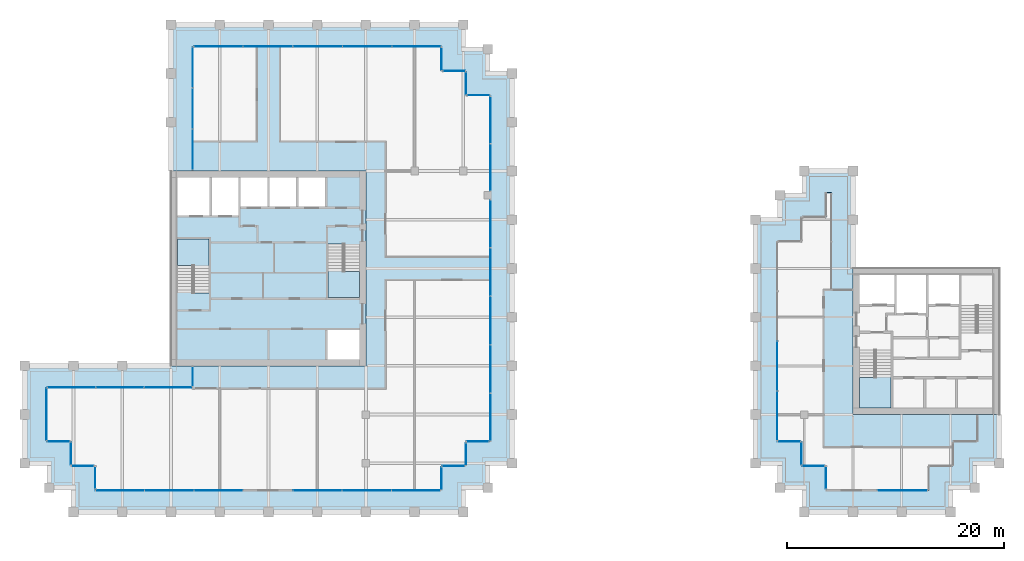
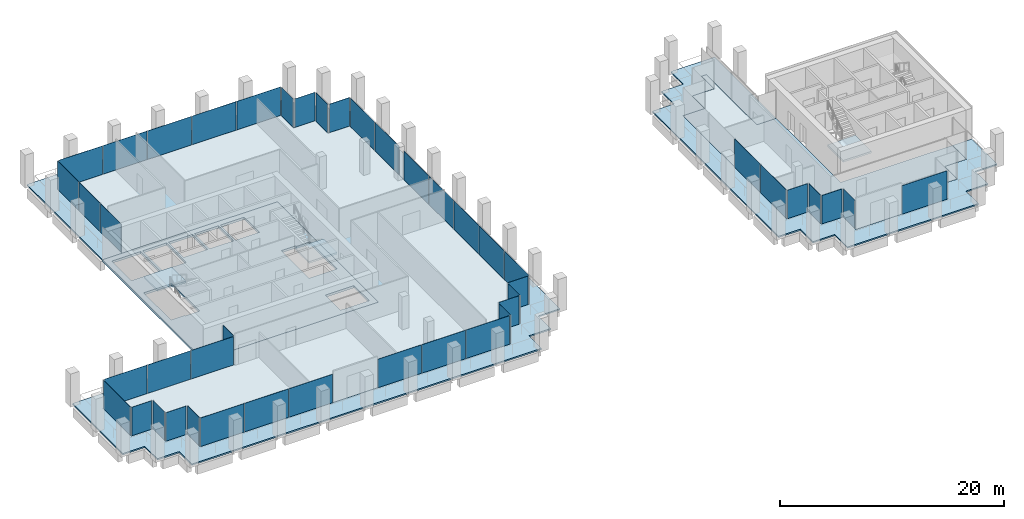
# One storey, part 34 of 40: 45 plates, 8 slabs, 30 elements without a shape of their own.
"""IFC4 building model written with IfcOpenShell, lengths in metres."""

from ifc_helpers import new_model, si_unit, direction, frame, origin, origin_2d, place, context, subcontext, project, spatial, polyline, rectangle, outline, extrude, material, layer, layer_set, type_object, element, aggregate, save


model = new_model("IFC4")

# Units and contexts
model_context = context("Model", 3, precision=1e-05, world=origin(), true_north=direction((0.0, 1.0)))
body_context = subcontext(model_context, "Body", "Model", "MODEL_VIEW")
ifc_project = project(units=[si_unit("LENGTHUNIT", "METRE"), si_unit("AREAUNIT", "SQUARE_METRE"), si_unit("VOLUMEUNIT", "CUBIC_METRE"), si_unit("PLANEANGLEUNIT", "RADIAN"), si_unit("MASSUNIT", "GRAM", prefix="KILO")], contexts=[model_context])

# Site, building, storey
site_placement = place(None, origin())
site = spatial("IfcSite", under=ifc_project, at=site_placement, CompositionType="ELEMENT")
building_placement = place(site_placement, origin())
building = spatial("IfcBuilding", under=site, at=building_placement, Name="Altepetl Exchange Towers", CompositionType="ELEMENT")
storey_placement = place(building_placement, frame((0.0, 0.0, 158.199951171875)))
storey = spatial("IfcBuildingStorey", under=building, at=storey_placement, Name="L39", CompositionType="ELEMENT", Elevation=158.199951171875)

# Slabs
ifc_material_1 = material(Name="Concrete C40/50", Category="concrete")
ifc_layer_1 = layer(ifc_material_1, 0.14990234375)
ifc_layer_set_1 = layer_set([ifc_layer_1], Name="Concrete C40/50")
slab_type_1 = type_object("IfcSlabType", Name="Composite floor slab 150", PredefinedType="FLOOR", material=ifc_layer_set_1)
slab_1_placement = place(storey_placement, frame((0.0, 0.0, -0.14990234375)))
element("IfcSlab", 1, at=slab_1_placement, inside=storey, type_object=slab_type_1, Name="slab:A:L39:strip0", PredefinedType="FLOOR", context=body_context, shape_type="SweptSolid", body=[
    extrude(outline(polyline([(42.5, 70.0), (42.5, 58.5), (58.5, 58.5), (58.5, 40.5), (42.5, 40.5), (42.5, 38.5), (29.0, 38.5), (29.0, 33.5), (31.25, 33.5), (31.25, 31.25), (33.5, 31.25), (33.5, 29.0), (65.5, 29.0), (65.5, 31.25), (67.75, 31.25), (67.75, 33.5), (70.0, 33.5), (70.0, 65.5), (67.75, 65.5), (67.75, 67.75), (65.5, 67.75), (65.5, 70.0), (42.5, 70.0)])), origin(), (0.0, 0.0, 1.0), 0.14990234375),
])
slab_2_placement = place(storey_placement, frame((0.0, 0.0, -0.14990234375)))
element("IfcSlab", 2, at=slab_2_placement, inside=storey, type_object=slab_type_1, Name="slab:B:L39:strip0", PredefinedType="FLOOR", context=body_context, shape_type="SweptSolid", body=[
    extrude(outline(polyline([(98.75, 31.25), (101.0, 31.25), (101.0, 29.0), (110.5, 29.0), (110.5, 31.25), (112.75, 31.25), (112.75, 33.5), (115.0, 33.5), (115.0, 36.0), (103.5, 36.0), (103.5, 47.5), (101.5, 47.5), (101.5, 56.5), (101.0, 56.5), (101.0, 54.25), (98.75, 54.25), (98.75, 52.0), (96.5, 52.0), (96.5, 33.5), (98.75, 33.5), (98.75, 31.25)])), origin(), (0.0, 0.0, 1.0), 0.14990234375),
])
ifc_layer_2 = layer(ifc_material_1, 0.25)
ifc_layer_set_2 = layer_set([ifc_layer_2], Name="Concrete C40/50")
slab_type_2 = type_object("IfcSlabType", Name="Core floor slab 250", PredefinedType="FLOOR", material=ifc_layer_set_2)
slab_3_placement = place(storey_placement, frame((0.0, 0.0, -0.25)))
element("IfcSlab", 3, at=slab_3_placement, inside=storey, type_object=slab_type_2, Name="slab:A:L39:core0", PredefinedType="FLOOR", context=body_context, shape_type="SweptSolid", body=[
    extrude(outline(polyline([(40.5, 40.5), (58.5, 40.5), (58.5, 58.5), (40.5, 58.5), (40.5, 40.5)]), holes=[polyline([(54.93310546875, 43.800048828125), (57.89990234375, 43.800048828125), (57.89990234375, 41.10009765625), (54.93310546875, 41.10009765625), (54.93310546875, 43.800048828125)]), polyline([(55.0, 51.7490234375), (56.5, 51.7490234375), (56.5, 51.64990234375), (57.89990234375, 51.64990234375), (57.89990234375, 46.800048828125), (55.0, 46.800048828125), (55.0, 51.7490234375)]), polyline([(44.0, 47.2509765625), (42.5, 47.2509765625), (42.5, 47.35009765625), (41.10009765625, 47.35009765625), (41.10009765625, 52.199951171875), (44.0, 52.199951171875), (44.0, 47.2509765625)]), polyline([(41.10009765625, 57.89990234375), (44.06689453125, 57.89990234375), (44.06689453125, 54.39990234375), (41.10009765625, 54.39990234375), (41.10009765625, 57.89990234375)]), polyline([(44.26708984375, 57.89990234375), (46.73291015625, 57.89990234375), (46.73291015625, 54.39990234375), (44.26708984375, 54.39990234375), (44.26708984375, 57.89990234375)]), polyline([(46.93310546875, 57.89990234375), (49.39990234375, 57.89990234375), (49.39990234375, 55.199951171875), (46.93310546875, 55.199951171875), (46.93310546875, 57.89990234375)]), polyline([(49.60009765625, 57.89990234375), (52.06689453125, 57.89990234375), (52.06689453125, 55.199951171875), (49.60009765625, 55.199951171875), (49.60009765625, 57.89990234375)]), polyline([(52.26708984375, 57.89990234375), (54.73291015625, 57.89990234375), (54.73291015625, 55.199951171875), (52.26708984375, 55.199951171875), (52.26708984375, 57.89990234375)])]), origin(), (0.0, 0.0, 1.0), 0.25),
])

# Curtain wall, plate
ifc_material_2 = material(Name="Aluminium 6063-T6 glazing", Category="aluminium")
curtain_wall_type = type_object("IfcCurtainWallType", Name="Loggia glazing system", PredefinedType="NOTDEFINED", material=ifc_material_2)
curtain_wall_1_placement = place(storey_placement, origin())
curtain_wall_1 = element("IfcCurtainWall", 4, at=curtain_wall_1_placement, inside=storey, type_object=curtain_wall_type, Name="CW1 run", PredefinedType="NOTDEFINED")
ifc_material_3 = material(Name="Glass 6-16-6 low emissivity", Category="glass")
ifc_layer_3 = layer(ifc_material_3, 0.028076171875)
ifc_layer_set_3 = layer_set([ifc_layer_3], Name="Glass 6-16-6 low emissivity")
plate_type = type_object("IfcPlateType", Name="Glass panel 28 double glazed", PredefinedType="CURTAIN_PANEL", material=ifc_layer_set_3)
plate_1_placement = place(storey_placement, frame((42.5, 39.53759765625, 0.0), z_axis=(0.0, 0.0, 1.0), x_axis=(0.0, -1.0, 0.0)))
plate_1 = element("IfcPlate", 5, at=plate_1_placement, type_object=plate_type, Name="GP1 panel", PredefinedType="CURTAIN_PANEL", context=body_context, shape_type="SweptSolid", body=[
    extrude(rectangle(XDim=1.804931640625, YDim=0.028076171875, at=origin_2d()), origin(), (0.0, 0.0, 1.0), 3.10009765625),
])
aggregate(curtain_wall_1, [plate_1])

# Curtain wall, plates
curtain_wall_2_placement = place(storey_placement, origin())
curtain_wall_2 = element("IfcCurtainWall", 6, at=curtain_wall_2_placement, inside=storey, type_object=curtain_wall_type, Name="CW1 run", PredefinedType="NOTDEFINED")
plate_2_placement = place(storey_placement, frame((40.24755859375, 38.5, 0.0), z_axis=(0.0, 0.0, 1.0), x_axis=(-1.0, 0.0, 0.0)))
plate_2 = element("IfcPlate", 7, at=plate_2_placement, type_object=plate_type, Name="GP1 panel", PredefinedType="CURTAIN_PANEL", context=body_context, shape_type="SweptSolid", body=[
    extrude(rectangle(XDim=4.385009765625, YDim=0.028076171875, at=origin_2d()), origin(), (0.0, 0.0, 1.0), 3.10009765625),
])
plate_3_placement = place(storey_placement, frame((35.78759765625, 38.5, 0.0), z_axis=(0.0, 0.0, 1.0), x_axis=(-1.0, 0.0, 0.0)))
plate_3 = element("IfcPlate", 8, at=plate_3_placement, type_object=plate_type, Name="GP1 panel", PredefinedType="CURTAIN_PANEL", context=body_context, shape_type="SweptSolid", body=[
    extrude(rectangle(XDim=4.4150390625, YDim=0.028076171875, at=origin_2d()), origin(), (0.0, 0.0, 1.0), 3.10009765625),
])
plate_4_placement = place(storey_placement, frame((31.327392578125, 38.5, 0.0), z_axis=(0.0, 0.0, 1.0), x_axis=(-1.0, 0.0, 0.0)))
plate_4 = element("IfcPlate", 9, at=plate_4_placement, type_object=plate_type, Name="GP1 panel", PredefinedType="CURTAIN_PANEL", context=body_context, shape_type="SweptSolid", body=[
    extrude(rectangle(XDim=4.385009765625, YDim=0.028076171875, at=origin_2d()), origin(), (0.0, 0.0, 1.0), 3.10009765625),
])
aggregate(curtain_wall_2, [plate_2, plate_3, plate_4])

# Curtain wall, plate
curtain_wall_3_placement = place(storey_placement, origin())
curtain_wall_3 = element("IfcCurtainWall", 10, at=curtain_wall_3_placement, inside=storey, type_object=curtain_wall_type, Name="CW1 run", PredefinedType="NOTDEFINED")
plate_5_placement = place(storey_placement, frame((29.0, 36.03759765625, 0.0), z_axis=(0.0, 0.0, 1.0), x_axis=(0.0, -1.0, 0.0)))
plate_5 = element("IfcPlate", 11, at=plate_5_placement, type_object=plate_type, Name="GP1 panel", PredefinedType="CURTAIN_PANEL", context=body_context, shape_type="SweptSolid", body=[
    extrude(rectangle(XDim=4.804931640625, YDim=0.028076171875, at=origin_2d()), origin(), (0.0, 0.0, 1.0), 3.10009765625),
])
aggregate(curtain_wall_3, [plate_5])

curtain_wall_4_placement = place(storey_placement, origin())
curtain_wall_4 = element("IfcCurtainWall", 12, at=curtain_wall_4_placement, inside=storey, type_object=curtain_wall_type, Name="CW1 run", PredefinedType="NOTDEFINED")
plate_6_placement = place(storey_placement, frame((30.08740234375, 33.5, 0.0)))
plate_6 = element("IfcPlate", 13, at=plate_6_placement, type_object=plate_type, Name="GP1 panel", PredefinedType="CURTAIN_PANEL", context=body_context, shape_type="SweptSolid", body=[
    extrude(rectangle(XDim=2.054931640625, YDim=0.028076171875, at=origin_2d()), origin(), (0.0, 0.0, 1.0), 3.10009765625),
])
aggregate(curtain_wall_4, [plate_6])

curtain_wall_5_placement = place(storey_placement, origin())
curtain_wall_5 = element("IfcCurtainWall", 14, at=curtain_wall_5_placement, inside=storey, type_object=curtain_wall_type, Name="CW1 run", PredefinedType="NOTDEFINED")
plate_7_placement = place(storey_placement, frame((31.25, 32.41259765625, 0.0), z_axis=(0.0, 0.0, 1.0), x_axis=(0.0, -1.0, 0.0)))
plate_7 = element("IfcPlate", 15, at=plate_7_placement, type_object=plate_type, Name="GP1 panel", PredefinedType="CURTAIN_PANEL", context=body_context, shape_type="SweptSolid", body=[
    extrude(rectangle(XDim=2.054931640625, YDim=0.028076171875, at=origin_2d()), origin(), (0.0, 0.0, 1.0), 3.10009765625),
])
aggregate(curtain_wall_5, [plate_7])

curtain_wall_6_placement = place(storey_placement, origin())
curtain_wall_6 = element("IfcCurtainWall", 16, at=curtain_wall_6_placement, inside=storey, type_object=curtain_wall_type, Name="CW1 run", PredefinedType="NOTDEFINED")
plate_8_placement = place(storey_placement, frame((32.33740234375, 31.25, 0.0)))
plate_8 = element("IfcPlate", 17, at=plate_8_placement, type_object=plate_type, Name="GP1 panel", PredefinedType="CURTAIN_PANEL", context=body_context, shape_type="SweptSolid", body=[
    extrude(rectangle(XDim=2.054931640625, YDim=0.028076171875, at=origin_2d()), origin(), (0.0, 0.0, 1.0), 3.10009765625),
])
aggregate(curtain_wall_6, [plate_8])

curtain_wall_7_placement = place(storey_placement, origin())
curtain_wall_7 = element("IfcCurtainWall", 18, at=curtain_wall_7_placement, inside=storey, type_object=curtain_wall_type, Name="CW1 run", PredefinedType="NOTDEFINED")
plate_9_placement = place(storey_placement, frame((33.5, 30.16259765625, 0.0), z_axis=(0.0, 0.0, 1.0), x_axis=(0.0, -1.0, 0.0)))
plate_9 = element("IfcPlate", 19, at=plate_9_placement, type_object=plate_type, Name="GP1 panel", PredefinedType="CURTAIN_PANEL", context=body_context, shape_type="SweptSolid", body=[
    extrude(rectangle(XDim=2.054931640625, YDim=0.028076171875, at=origin_2d()), origin(), (0.0, 0.0, 1.0), 3.10009765625),
])
aggregate(curtain_wall_7, [plate_9])

# Curtain wall, plates
curtain_wall_8_placement = place(storey_placement, origin())
curtain_wall_8 = element("IfcCurtainWall", 20, at=curtain_wall_8_placement, inside=storey, type_object=curtain_wall_type, Name="CW1 run", PredefinedType="NOTDEFINED")
plate_10_placement = place(storey_placement, frame((35.79541015625, 29.0, 0.0)))
plate_10 = element("IfcPlate", 21, at=plate_10_placement, type_object=plate_type, Name="GP1 panel", PredefinedType="CURTAIN_PANEL", context=body_context, shape_type="SweptSolid", body=[
    extrude(rectangle(XDim=4.470703125, YDim=0.028076171875, at=origin_2d()), origin(), (0.0, 0.0, 1.0), 3.10009765625),
])
plate_11_placement = place(storey_placement, frame((40.341064453125, 29.0, 0.0)))
plate_11 = element("IfcPlate", 22, at=plate_11_placement, type_object=plate_type, Name="GP1 panel", PredefinedType="CURTAIN_PANEL", context=body_context, shape_type="SweptSolid", body=[
    extrude(rectangle(XDim=4.500732421875, YDim=0.028076171875, at=origin_2d()), origin(), (0.0, 0.0, 1.0), 3.10009765625),
])
plate_12_placement = place(storey_placement, frame((44.88671875, 29.0, 0.0)))
plate_12 = element("IfcPlate", 23, at=plate_12_placement, type_object=plate_type, Name="GP1 panel", PredefinedType="CURTAIN_PANEL", context=body_context, shape_type="SweptSolid", body=[
    extrude(rectangle(XDim=4.470703125, YDim=0.028076171875, at=origin_2d()), origin(), (0.0, 0.0, 1.0), 3.10009765625),
])
aggregate(curtain_wall_8, [plate_10, plate_11, plate_12])

curtain_wall_9_placement = place(storey_placement, origin())
curtain_wall_9 = element("IfcCurtainWall", 24, at=curtain_wall_9_placement, inside=storey, type_object=curtain_wall_type, Name="CW1 run", PredefinedType="NOTDEFINED")
plate_13_placement = place(storey_placement, frame((54.038330078125, 29.0, 0.0)))
plate_13 = element("IfcPlate", 25, at=plate_13_placement, type_object=plate_type, Name="GP1 panel", PredefinedType="CURTAIN_PANEL", context=body_context, shape_type="SweptSolid", body=[
    extrude(rectangle(XDim=4.470703125, YDim=0.028076171875, at=origin_2d()), origin(), (0.0, 0.0, 1.0), 3.10009765625),
])
plate_14_placement = place(storey_placement, frame((58.583984375, 29.0, 0.0)))
plate_14 = element("IfcPlate", 26, at=plate_14_placement, type_object=plate_type, Name="GP1 panel", PredefinedType="CURTAIN_PANEL", context=body_context, shape_type="SweptSolid", body=[
    extrude(rectangle(XDim=4.500732421875, YDim=0.028076171875, at=origin_2d()), origin(), (0.0, 0.0, 1.0), 3.10009765625),
])
plate_15_placement = place(storey_placement, frame((63.129638671875, 29.0, 0.0)))
plate_15 = element("IfcPlate", 27, at=plate_15_placement, type_object=plate_type, Name="GP1 panel", PredefinedType="CURTAIN_PANEL", context=body_context, shape_type="SweptSolid", body=[
    extrude(rectangle(XDim=4.470703125, YDim=0.028076171875, at=origin_2d()), origin(), (0.0, 0.0, 1.0), 3.10009765625),
])
aggregate(curtain_wall_9, [plate_13, plate_14, plate_15])

# Curtain wall, plate
curtain_wall_10_placement = place(storey_placement, origin())
curtain_wall_10 = element("IfcCurtainWall", 28, at=curtain_wall_10_placement, inside=storey, type_object=curtain_wall_type, Name="CW1 run", PredefinedType="NOTDEFINED")
plate_16_placement = place(storey_placement, frame((65.5, 30.08740234375, 0.0), z_axis=(0.0, 0.0, 1.0), x_axis=(0.0, 1.0, 0.0)))
plate_16 = element("IfcPlate", 29, at=plate_16_placement, type_object=plate_type, Name="GP1 panel", PredefinedType="CURTAIN_PANEL", context=body_context, shape_type="SweptSolid", body=[
    extrude(rectangle(XDim=2.054931640625, YDim=0.028076171875, at=origin_2d()), origin(), (0.0, 0.0, 1.0), 3.10009765625),
])
aggregate(curtain_wall_10, [plate_16])

curtain_wall_11_placement = place(storey_placement, origin())
curtain_wall_11 = element("IfcCurtainWall", 30, at=curtain_wall_11_placement, inside=storey, type_object=curtain_wall_type, Name="CW1 run", PredefinedType="NOTDEFINED")
plate_17_placement = place(storey_placement, frame((66.58740234375, 31.25, 0.0)))
plate_17 = element("IfcPlate", 31, at=plate_17_placement, type_object=plate_type, Name="GP1 panel", PredefinedType="CURTAIN_PANEL", context=body_context, shape_type="SweptSolid", body=[
    extrude(rectangle(XDim=2.054931640625, YDim=0.028076171875, at=origin_2d()), origin(), (0.0, 0.0, 1.0), 3.10009765625),
])
aggregate(curtain_wall_11, [plate_17])

curtain_wall_12_placement = place(storey_placement, origin())
curtain_wall_12 = element("IfcCurtainWall", 32, at=curtain_wall_12_placement, inside=storey, type_object=curtain_wall_type, Name="CW1 run", PredefinedType="NOTDEFINED")
plate_18_placement = place(storey_placement, frame((67.75, 32.33740234375, 0.0), z_axis=(0.0, 0.0, 1.0), x_axis=(0.0, 1.0, 0.0)))
plate_18 = element("IfcPlate", 33, at=plate_18_placement, type_object=plate_type, Name="GP1 panel", PredefinedType="CURTAIN_PANEL", context=body_context, shape_type="SweptSolid", body=[
    extrude(rectangle(XDim=2.054931640625, YDim=0.028076171875, at=origin_2d()), origin(), (0.0, 0.0, 1.0), 3.10009765625),
])
aggregate(curtain_wall_12, [plate_18])

curtain_wall_13_placement = place(storey_placement, origin())
curtain_wall_13 = element("IfcCurtainWall", 34, at=curtain_wall_13_placement, inside=storey, type_object=curtain_wall_type, Name="CW1 run", PredefinedType="NOTDEFINED")
plate_19_placement = place(storey_placement, frame((68.83740234375, 33.5, 0.0)))
plate_19 = element("IfcPlate", 35, at=plate_19_placement, type_object=plate_type, Name="GP1 panel", PredefinedType="CURTAIN_PANEL", context=body_context, shape_type="SweptSolid", body=[
    extrude(rectangle(XDim=2.054931640625, YDim=0.028076171875, at=origin_2d()), origin(), (0.0, 0.0, 1.0), 3.10009765625),
])
aggregate(curtain_wall_13, [plate_19])

# Curtain wall, plates
curtain_wall_14_placement = place(storey_placement, origin())
curtain_wall_14 = element("IfcCurtainWall", 36, at=curtain_wall_14_placement, inside=storey, type_object=curtain_wall_type, Name="CW1 run", PredefinedType="NOTDEFINED")
plate_20_placement = place(storey_placement, frame((70.0, 35.7529296875, 0.0), z_axis=(0.0, 0.0, 1.0), x_axis=(0.0, 1.0, 0.0)))
plate_20 = element("IfcPlate", 37, at=plate_20_placement, type_object=plate_type, Name="GP1 panel", PredefinedType="CURTAIN_PANEL", context=body_context, shape_type="SweptSolid", body=[
    extrude(rectangle(XDim=4.385986328125, YDim=0.028076171875, at=origin_2d()), origin(), (0.0, 0.0, 1.0), 3.10009765625),
])
plate_21_placement = place(storey_placement, frame((70.0, 40.214111328125, 0.0), z_axis=(0.0, 0.0, 1.0), x_axis=(0.0, 1.0, 0.0)))
plate_21 = element("IfcPlate", 38, at=plate_21_placement, type_object=plate_type, Name="GP1 panel", PredefinedType="CURTAIN_PANEL", context=body_context, shape_type="SweptSolid", body=[
    extrude(rectangle(XDim=4.416015625, YDim=0.028076171875, at=origin_2d()), origin(), (0.0, 0.0, 1.0), 3.10009765625),
])
plate_22_placement = place(storey_placement, frame((70.0, 44.68994140625, 0.0), z_axis=(0.0, 0.0, 1.0), x_axis=(0.0, 1.0, 0.0)))
plate_22 = element("IfcPlate", 39, at=plate_22_placement, type_object=plate_type, Name="GP1 panel", PredefinedType="CURTAIN_PANEL", context=body_context, shape_type="SweptSolid", body=[
    extrude(rectangle(XDim=4.416015625, YDim=0.028076171875, at=origin_2d()), origin(), (0.0, 0.0, 1.0), 3.10009765625),
])
plate_23_placement = place(storey_placement, frame((70.0, 49.166015625, 0.0), z_axis=(0.0, 0.0, 1.0), x_axis=(0.0, 1.0, 0.0)))
plate_23 = element("IfcPlate", 40, at=plate_23_placement, type_object=plate_type, Name="GP1 panel", PredefinedType="CURTAIN_PANEL", context=body_context, shape_type="SweptSolid", body=[
    extrude(rectangle(XDim=4.416015625, YDim=0.028076171875, at=origin_2d()), origin(), (0.0, 0.0, 1.0), 3.10009765625),
])
plate_24_placement = place(storey_placement, frame((70.0, 53.626953125, 0.0), z_axis=(0.0, 0.0, 1.0), x_axis=(0.0, 1.0, 0.0)))
plate_24 = element("IfcPlate", 41, at=plate_24_placement, type_object=plate_type, Name="GP1 panel", PredefinedType="CURTAIN_PANEL", context=body_context, shape_type="SweptSolid", body=[
    extrude(rectangle(XDim=4.385986328125, YDim=0.028076171875, at=origin_2d()), origin(), (0.0, 0.0, 1.0), 3.10009765625),
])
aggregate(curtain_wall_14, [plate_20, plate_21, plate_22, plate_23, plate_24])

curtain_wall_15_placement = place(storey_placement, origin())
curtain_wall_15 = element("IfcCurtainWall", 42, at=curtain_wall_15_placement, inside=storey, type_object=curtain_wall_type, Name="CW1 run", PredefinedType="NOTDEFINED")
plate_25_placement = place(storey_placement, frame((70.0, 58.836181640625, 0.0), z_axis=(0.0, 0.0, 1.0), x_axis=(0.0, 1.0, 0.0)))
plate_25 = element("IfcPlate", 43, at=plate_25_placement, type_object=plate_type, Name="GP1 panel", PredefinedType="CURTAIN_PANEL", context=body_context, shape_type="SweptSolid", body=[
    extrude(rectangle(XDim=4.3125, YDim=0.028076171875, at=origin_2d()), origin(), (0.0, 0.0, 1.0), 3.10009765625),
])
plate_26_placement = place(storey_placement, frame((70.0, 63.208740234375, 0.0), z_axis=(0.0, 0.0, 1.0), x_axis=(0.0, 1.0, 0.0)))
plate_26 = element("IfcPlate", 44, at=plate_26_placement, type_object=plate_type, Name="GP1 panel", PredefinedType="CURTAIN_PANEL", context=body_context, shape_type="SweptSolid", body=[
    extrude(rectangle(XDim=4.3125, YDim=0.028076171875, at=origin_2d()), origin(), (0.0, 0.0, 1.0), 3.10009765625),
])
aggregate(curtain_wall_15, [plate_25, plate_26])

# Curtain wall, plate
curtain_wall_16_placement = place(storey_placement, origin())
curtain_wall_16 = element("IfcCurtainWall", 45, at=curtain_wall_16_placement, inside=storey, type_object=curtain_wall_type, Name="CW1 run", PredefinedType="NOTDEFINED")
plate_27_placement = place(storey_placement, frame((68.91259765625, 65.5, 0.0), z_axis=(0.0, 0.0, 1.0), x_axis=(-1.0, 0.0, 0.0)))
plate_27 = element("IfcPlate", 46, at=plate_27_placement, type_object=plate_type, Name="GP1 panel", PredefinedType="CURTAIN_PANEL", context=body_context, shape_type="SweptSolid", body=[
    extrude(rectangle(XDim=2.054931640625, YDim=0.028076171875, at=origin_2d()), origin(), (0.0, 0.0, 1.0), 3.10009765625),
])
aggregate(curtain_wall_16, [plate_27])

curtain_wall_17_placement = place(storey_placement, origin())
curtain_wall_17 = element("IfcCurtainWall", 47, at=curtain_wall_17_placement, inside=storey, type_object=curtain_wall_type, Name="CW1 run", PredefinedType="NOTDEFINED")
plate_28_placement = place(storey_placement, frame((67.75, 66.58740234375, 0.0), z_axis=(0.0, 0.0, 1.0), x_axis=(0.0, 1.0, 0.0)))
plate_28 = element("IfcPlate", 48, at=plate_28_placement, type_object=plate_type, Name="GP1 panel", PredefinedType="CURTAIN_PANEL", context=body_context, shape_type="SweptSolid", body=[
    extrude(rectangle(XDim=2.054931640625, YDim=0.028076171875, at=origin_2d()), origin(), (0.0, 0.0, 1.0), 3.10009765625),
])
aggregate(curtain_wall_17, [plate_28])

curtain_wall_18_placement = place(storey_placement, origin())
curtain_wall_18 = element("IfcCurtainWall", 49, at=curtain_wall_18_placement, inside=storey, type_object=curtain_wall_type, Name="CW1 run", PredefinedType="NOTDEFINED")
plate_29_placement = place(storey_placement, frame((66.66259765625, 67.75, 0.0), z_axis=(0.0, 0.0, 1.0), x_axis=(-1.0, 0.0, 0.0)))
plate_29 = element("IfcPlate", 50, at=plate_29_placement, type_object=plate_type, Name="GP1 panel", PredefinedType="CURTAIN_PANEL", context=body_context, shape_type="SweptSolid", body=[
    extrude(rectangle(XDim=2.054931640625, YDim=0.028076171875, at=origin_2d()), origin(), (0.0, 0.0, 1.0), 3.10009765625),
])
aggregate(curtain_wall_18, [plate_29])

curtain_wall_19_placement = place(storey_placement, origin())
curtain_wall_19 = element("IfcCurtainWall", 51, at=curtain_wall_19_placement, inside=storey, type_object=curtain_wall_type, Name="CW1 run", PredefinedType="NOTDEFINED")
plate_30_placement = place(storey_placement, frame((65.5, 68.83740234375, 0.0), z_axis=(0.0, 0.0, 1.0), x_axis=(0.0, 1.0, 0.0)))
plate_30 = element("IfcPlate", 52, at=plate_30_placement, type_object=plate_type, Name="GP1 panel", PredefinedType="CURTAIN_PANEL", context=body_context, shape_type="SweptSolid", body=[
    extrude(rectangle(XDim=2.054931640625, YDim=0.028076171875, at=origin_2d()), origin(), (0.0, 0.0, 1.0), 3.10009765625),
])
aggregate(curtain_wall_19, [plate_30])

# Curtain wall, plates
curtain_wall_20_placement = place(storey_placement, origin())
curtain_wall_20 = element("IfcCurtainWall", 53, at=curtain_wall_20_placement, inside=storey, type_object=curtain_wall_type, Name="CW1 run", PredefinedType="NOTDEFINED")
plate_31_placement = place(storey_placement, frame((63.1923828125, 70.0, 0.0), z_axis=(0.0, 0.0, 1.0), x_axis=(-1.0, 0.0, 0.0)))
plate_31 = element("IfcPlate", 54, at=plate_31_placement, type_object=plate_type, Name="GP1 panel", PredefinedType="CURTAIN_PANEL", context=body_context, shape_type="SweptSolid", body=[
    extrude(rectangle(XDim=4.4951171875, YDim=0.028076171875, at=origin_2d()), origin(), (0.0, 0.0, 1.0), 3.10009765625),
])
plate_32_placement = place(storey_placement, frame((58.62255859375, 70.0, 0.0), z_axis=(0.0, 0.0, 1.0), x_axis=(-1.0, 0.0, 0.0)))
plate_32 = element("IfcPlate", 55, at=plate_32_placement, type_object=plate_type, Name="GP1 panel", PredefinedType="CURTAIN_PANEL", context=body_context, shape_type="SweptSolid", body=[
    extrude(rectangle(XDim=4.52490234375, YDim=0.028076171875, at=origin_2d()), origin(), (0.0, 0.0, 1.0), 3.10009765625),
])
plate_33_placement = place(storey_placement, frame((54.03759765625, 70.0, 0.0), z_axis=(0.0, 0.0, 1.0), x_axis=(-1.0, 0.0, 0.0)))
plate_33 = element("IfcPlate", 56, at=plate_33_placement, type_object=plate_type, Name="GP1 panel", PredefinedType="CURTAIN_PANEL", context=body_context, shape_type="SweptSolid", body=[
    extrude(rectangle(XDim=4.52490234375, YDim=0.028076171875, at=origin_2d()), origin(), (0.0, 0.0, 1.0), 3.10009765625),
])
plate_34_placement = place(storey_placement, frame((49.452392578125, 70.0, 0.0), z_axis=(0.0, 0.0, 1.0), x_axis=(-1.0, 0.0, 0.0)))
plate_34 = element("IfcPlate", 57, at=plate_34_placement, type_object=plate_type, Name="GP1 panel", PredefinedType="CURTAIN_PANEL", context=body_context, shape_type="SweptSolid", body=[
    extrude(rectangle(XDim=4.52490234375, YDim=0.028076171875, at=origin_2d()), origin(), (0.0, 0.0, 1.0), 3.10009765625),
])
plate_35_placement = place(storey_placement, frame((44.882568359375, 70.0, 0.0), z_axis=(0.0, 0.0, 1.0), x_axis=(-1.0, 0.0, 0.0)))
plate_35 = element("IfcPlate", 58, at=plate_35_placement, type_object=plate_type, Name="GP1 panel", PredefinedType="CURTAIN_PANEL", context=body_context, shape_type="SweptSolid", body=[
    extrude(rectangle(XDim=4.4951171875, YDim=0.028076171875, at=origin_2d()), origin(), (0.0, 0.0, 1.0), 3.10009765625),
])
aggregate(curtain_wall_20, [plate_31, plate_32, plate_33, plate_34, plate_35])

curtain_wall_21_placement = place(storey_placement, origin())
curtain_wall_21 = element("IfcCurtainWall", 59, at=curtain_wall_21_placement, inside=storey, type_object=curtain_wall_type, Name="CW1 run", PredefinedType="NOTDEFINED")
plate_36_placement = place(storey_placement, frame((42.5, 68.080810546875, 0.0), z_axis=(0.0, 0.0, 1.0), x_axis=(0.0, -1.0, 0.0)))
plate_36 = element("IfcPlate", 60, at=plate_36_placement, type_object=plate_type, Name="GP1 panel", PredefinedType="CURTAIN_PANEL", context=body_context, shape_type="SweptSolid", body=[
    extrude(rectangle(XDim=3.71826171875, YDim=0.028076171875, at=origin_2d()), origin(), (0.0, 0.0, 1.0), 3.10009765625),
])
plate_37_placement = place(storey_placement, frame((42.5, 64.28759765625, 0.0), z_axis=(0.0, 0.0, 1.0), x_axis=(0.0, -1.0, 0.0)))
plate_37 = element("IfcPlate", 61, at=plate_37_placement, type_object=plate_type, Name="GP1 panel", PredefinedType="CURTAIN_PANEL", context=body_context, shape_type="SweptSolid", body=[
    extrude(rectangle(XDim=3.748291015625, YDim=0.028076171875, at=origin_2d()), origin(), (0.0, 0.0, 1.0), 3.10009765625),
])
plate_38_placement = place(storey_placement, frame((42.5, 60.494140625, 0.0), z_axis=(0.0, 0.0, 1.0), x_axis=(0.0, -1.0, 0.0)))
plate_38 = element("IfcPlate", 62, at=plate_38_placement, type_object=plate_type, Name="GP1 panel", PredefinedType="CURTAIN_PANEL", context=body_context, shape_type="SweptSolid", body=[
    extrude(rectangle(XDim=3.71826171875, YDim=0.028076171875, at=origin_2d()), origin(), (0.0, 0.0, 1.0), 3.10009765625),
])
aggregate(curtain_wall_21, [plate_36, plate_37, plate_38])

# Curtain wall, plate
curtain_wall_22_placement = place(storey_placement, origin())
curtain_wall_22 = element("IfcCurtainWall", 63, at=curtain_wall_22_placement, inside=storey, type_object=curtain_wall_type, Name="CW1 run", PredefinedType="NOTDEFINED")
plate_39_placement = place(storey_placement, frame((101.0, 30.16259765625, 0.0), z_axis=(0.0, 0.0, 1.0), x_axis=(0.0, -1.0, 0.0)))
plate_39 = element("IfcPlate", 64, at=plate_39_placement, type_object=plate_type, Name="GP1 panel", PredefinedType="CURTAIN_PANEL", context=body_context, shape_type="SweptSolid", body=[
    extrude(rectangle(XDim=2.054931640625, YDim=0.028076171875, at=origin_2d()), origin(), (0.0, 0.0, 1.0), 3.10009765625),
])
aggregate(curtain_wall_22, [plate_39])

curtain_wall_23_placement = place(storey_placement, origin())
curtain_wall_23 = element("IfcCurtainWall", 65, at=curtain_wall_23_placement, inside=storey, type_object=curtain_wall_type, Name="CW1 run", PredefinedType="NOTDEFINED")
plate_40_placement = place(storey_placement, frame((108.06884765625, 29.0, 0.0)))
plate_40 = element("IfcPlate", 66, at=plate_40_placement, type_object=plate_type, Name="GP1 panel", PredefinedType="CURTAIN_PANEL", context=body_context, shape_type="SweptSolid", body=[
    extrude(rectangle(XDim=4.592529296875, YDim=0.028076171875, at=origin_2d()), origin(), (0.0, 0.0, 1.0), 3.10009765625),
])
aggregate(curtain_wall_23, [plate_40])

# Curtain wall, plates
curtain_wall_24_placement = place(storey_placement, origin())
curtain_wall_24 = element("IfcCurtainWall", 67, at=curtain_wall_24_placement, inside=storey, type_object=curtain_wall_type, Name="CW1 run", PredefinedType="NOTDEFINED")
plate_41_placement = place(storey_placement, frame((96.5, 40.484375, 0.0), z_axis=(0.0, 0.0, 1.0), x_axis=(0.0, -1.0, 0.0)))
plate_41 = element("IfcPlate", 68, at=plate_41_placement, type_object=plate_type, Name="GP1 panel", PredefinedType="CURTAIN_PANEL", context=body_context, shape_type="SweptSolid", body=[
    extrude(rectangle(XDim=4.546142578125, YDim=0.028076171875, at=origin_2d()), origin(), (0.0, 0.0, 1.0), 3.10009765625),
])
plate_42_placement = place(storey_placement, frame((96.5, 35.89306640625, 0.0), z_axis=(0.0, 0.0, 1.0), x_axis=(0.0, -1.0, 0.0)))
plate_42 = element("IfcPlate", 69, at=plate_42_placement, type_object=plate_type, Name="GP1 panel", PredefinedType="CURTAIN_PANEL", context=body_context, shape_type="SweptSolid", body=[
    extrude(rectangle(XDim=4.516357421875, YDim=0.028076171875, at=origin_2d()), origin(), (0.0, 0.0, 1.0), 3.10009765625),
])
aggregate(curtain_wall_24, [plate_41, plate_42])

# Curtain wall, plate
curtain_wall_25_placement = place(storey_placement, origin())
curtain_wall_25 = element("IfcCurtainWall", 70, at=curtain_wall_25_placement, inside=storey, type_object=curtain_wall_type, Name="CW1 run", PredefinedType="NOTDEFINED")
plate_43_placement = place(storey_placement, frame((97.58740234375, 33.5, 0.0)))
plate_43 = element("IfcPlate", 71, at=plate_43_placement, type_object=plate_type, Name="GP1 panel", PredefinedType="CURTAIN_PANEL", context=body_context, shape_type="SweptSolid", body=[
    extrude(rectangle(XDim=2.054931640625, YDim=0.028076171875, at=origin_2d()), origin(), (0.0, 0.0, 1.0), 3.10009765625),
])
aggregate(curtain_wall_25, [plate_43])

curtain_wall_26_placement = place(storey_placement, origin())
curtain_wall_26 = element("IfcCurtainWall", 72, at=curtain_wall_26_placement, inside=storey, type_object=curtain_wall_type, Name="CW1 run", PredefinedType="NOTDEFINED")
plate_44_placement = place(storey_placement, frame((98.75, 32.41259765625, 0.0), z_axis=(0.0, 0.0, 1.0), x_axis=(0.0, -1.0, 0.0)))
plate_44 = element("IfcPlate", 73, at=plate_44_placement, type_object=plate_type, Name="GP1 panel", PredefinedType="CURTAIN_PANEL", context=body_context, shape_type="SweptSolid", body=[
    extrude(rectangle(XDim=2.054931640625, YDim=0.028076171875, at=origin_2d()), origin(), (0.0, 0.0, 1.0), 3.10009765625),
])
aggregate(curtain_wall_26, [plate_44])

curtain_wall_27_placement = place(storey_placement, origin())
curtain_wall_27 = element("IfcCurtainWall", 74, at=curtain_wall_27_placement, inside=storey, type_object=curtain_wall_type, Name="CW1 run", PredefinedType="NOTDEFINED")
plate_45_placement = place(storey_placement, frame((99.83740234375, 31.25, 0.0)))
plate_45 = element("IfcPlate", 75, at=plate_45_placement, type_object=plate_type, Name="GP1 panel", PredefinedType="CURTAIN_PANEL", context=body_context, shape_type="SweptSolid", body=[
    extrude(rectangle(XDim=2.054931640625, YDim=0.028076171875, at=origin_2d()), origin(), (0.0, 0.0, 1.0), 3.10009765625),
])
aggregate(curtain_wall_27, [plate_45])

# Slabs
ifc_layer_4 = layer(ifc_material_1, 0.14990234375)
ifc_layer_set_4 = layer_set([ifc_layer_4], Name="Concrete C40/50")
slab_type_3 = type_object("IfcSlabType", Name="Loggia slab 150", PredefinedType="FLOOR", material=ifc_layer_set_4)
slab_4_placement = place(storey_placement, frame((0.0, 0.0, -0.14990234375)))
element("IfcSlab", 76, at=slab_4_placement, inside=storey, type_object=slab_type_3, Name="slab:A:L39:loggia0", PredefinedType="FLOOR", context=body_context, shape_type="SweptSolid", body=[
    extrude(outline(polyline([(40.5, 72.0), (40.5, 58.5), (42.5, 58.5), (42.5, 70.0), (65.5, 70.0), (65.5, 67.75), (67.75, 67.75), (67.75, 65.5), (70.0, 65.5), (70.0, 33.5), (67.75, 33.5), (67.75, 31.25), (65.5, 31.25), (65.5, 29.0), (33.5, 29.0), (33.5, 31.25), (31.25, 31.25), (31.25, 33.5), (29.0, 33.5), (29.0, 38.5), (42.5, 38.5), (42.5, 40.5), (40.5, 40.5), (27.0, 40.5), (27.0, 31.5), (29.25, 31.5), (29.25, 29.25), (31.5, 29.25), (31.5, 27.0), (58.5, 27.0), (67.5, 27.0), (67.5, 29.25), (69.75, 29.25), (69.75, 31.5), (72.0, 31.5), (72.0, 58.5), (72.0, 67.5), (69.75, 67.5), (69.75, 69.75), (67.5, 69.75), (67.5, 72.0), (40.5, 72.0)])), origin(), (0.0, 0.0, 1.0), 0.14990234375),
])
slab_5_placement = place(storey_placement, frame((0.0, 0.0, -0.14990234375)))
element("IfcSlab", 77, at=slab_5_placement, inside=storey, type_object=slab_type_3, Name="slab:B:L39:loggia0", PredefinedType="FLOOR", context=body_context, shape_type="SweptSolid", body=[
    extrude(outline(polyline([(99.0, 29.25), (99.0, 27.0), (112.5, 27.0), (112.5, 29.25), (114.75, 29.25), (114.75, 31.5), (117.0, 31.5), (117.0, 36.0), (115.0, 36.0), (115.0, 33.5), (112.75, 33.5), (112.75, 31.25), (110.5, 31.25), (110.5, 29.0), (101.0, 29.0), (101.0, 31.25), (98.75, 31.25), (98.75, 33.5), (96.5, 33.5), (96.5, 52.0), (98.75, 52.0), (98.75, 54.25), (101.0, 54.25), (101.0, 56.5), (101.5, 56.5), (101.5, 47.5), (103.5, 47.5), (103.5, 49.5), (103.5, 58.5), (99.0, 58.5), (99.0, 56.25), (96.75, 56.25), (96.75, 54.0), (94.5, 54.0), (94.5, 36.0), (94.5, 31.5), (96.75, 31.5), (96.75, 29.25), (99.0, 29.25)])), origin(), (0.0, 0.0, 1.0), 0.14990234375),
])

# Stair, slab
stair_type = type_object("IfcStairType", Name="Exit stair 1400 flights dogleg", PredefinedType="HALF_TURN_STAIR", material=ifc_material_1)
stair_1_placement = place(storey_placement, origin())
stair_1 = element("IfcStair", 78, at=stair_1_placement, inside=storey, type_object=stair_type, Name="Exit stair 1", PredefinedType="HALF_TURN_STAIR")
ifc_layer_5 = layer(ifc_material_1, 0.199951171875)
ifc_layer_set_5 = layer_set([ifc_layer_5], Name="Concrete C40/50")
slab_type_4 = type_object("IfcSlabType", Name="Stair landing 200 reinforced concrete", PredefinedType="LANDING", material=ifc_layer_set_5)
slab_6_placement = place(storey_placement, frame((0.0, 0.0, 1.60009765625)))
slab_6 = element("IfcSlab", 79, at=slab_6_placement, type_object=slab_type_4, Name="ST-A1e landing 1", PredefinedType="LANDING", context=body_context, shape_type="SweptSolid", body=[
    extrude(outline(polyline([(44.0, 49.669921875), (42.60009765625, 49.669921875), (42.60009765625, 49.77001953125), (42.5, 49.77001953125), (42.5, 49.769287109375), (41.10009765625, 49.769287109375), (41.10009765625, 49.77001953125), (41.10009765625, 52.199951171875), (44.0, 52.199951171875), (44.0, 49.77001953125), (44.0, 49.669921875)])), origin(), (0.0, 0.0, 1.0), 0.199951171875),
])
aggregate(stair_1, [slab_6])

stair_2_placement = place(storey_placement, origin())
stair_2 = element("IfcStair", 80, at=stair_2_placement, inside=storey, type_object=stair_type, Name="Exit stair 2", PredefinedType="HALF_TURN_STAIR")
slab_7_placement = place(storey_placement, frame((0.0, 0.0, 1.60009765625)))
slab_7 = element("IfcSlab", 81, at=slab_7_placement, type_object=slab_type_4, Name="ST-A2e landing 1", PredefinedType="LANDING", context=body_context, shape_type="SweptSolid", body=[
    extrude(outline(polyline([(57.89990234375, 46.800048828125), (55.0, 46.800048828125), (55.0, 49.22998046875), (55.0, 49.330078125), (56.39990234375, 49.330078125), (56.39990234375, 49.22998046875), (56.5, 49.22998046875), (56.5, 49.230712890625), (57.89990234375, 49.230712890625), (57.89990234375, 49.22998046875), (57.89990234375, 46.800048828125)])), origin(), (0.0, 0.0, 1.0), 0.199951171875),
])
aggregate(stair_2, [slab_7])

stair_3_placement = place(storey_placement, origin())
stair_3 = element("IfcStair", 82, at=stair_3_placement, inside=storey, type_object=stair_type, Name="Exit stair 1", PredefinedType="HALF_TURN_STAIR")
slab_8_placement = place(storey_placement, frame((0.0, 0.0, 1.60009765625)))
slab_8 = element("IfcSlab", 83, at=slab_8_placement, type_object=slab_type_4, Name="ST-B1e landing 1", PredefinedType="LANDING", context=body_context, shape_type="SweptSolid", body=[
    extrude(outline(polyline([(107.0, 36.60009765625), (104.10009765625, 36.60009765625), (104.10009765625, 39.429931640625), (104.10009765625, 39.4306640625), (105.5, 39.4306640625), (105.5, 39.429931640625), (105.60009765625, 39.429931640625), (105.60009765625, 39.530029296875), (107.0, 39.530029296875), (107.0, 39.429931640625), (107.0, 36.60009765625)])), origin(), (0.0, 0.0, 1.0), 0.199951171875),
])
aggregate(stair_3, [slab_8])

save(model, "model.ifc")
